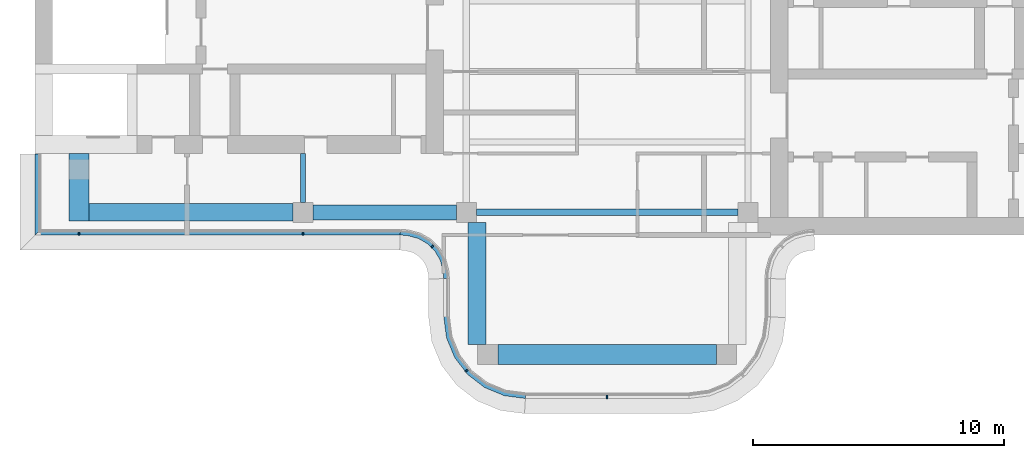
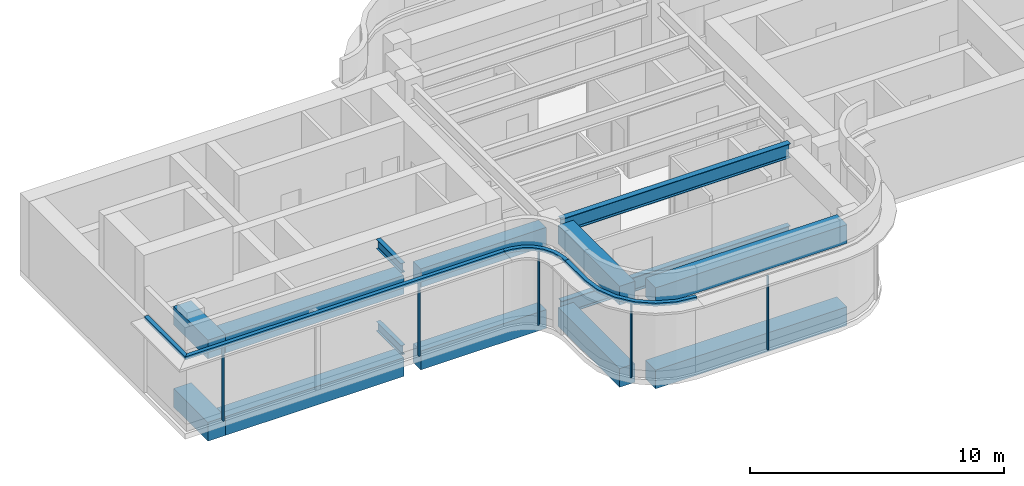
# One storey, part 2 of 9: 14 beams, 9 members, 5 elements without a shape of their own.
"""IFC4 building model written with IfcOpenShell, lengths in metres."""

from ifc_helpers import new_model, si_unit, direction, frame, origin, origin_2d, place, context, subcontext, project, spatial, polyline, rectangle, i_section, outline, extrude, source, transform, mapped, material, layer, layer_set, material_profile, profile_set, type_object, element, aggregate, save


model = new_model("IFC4")

# Units and contexts
model_context = context("Model", 3, precision=1e-05, world=origin(), true_north=direction((0.0, 1.0)))
body_context = subcontext(model_context, "Body", "Model", "MODEL_VIEW")
ifc_project = project(units=[si_unit("LENGTHUNIT", "METRE"), si_unit("AREAUNIT", "SQUARE_METRE"), si_unit("VOLUMEUNIT", "CUBIC_METRE"), si_unit("PLANEANGLEUNIT", "RADIAN"), si_unit("MASSUNIT", "GRAM", prefix="KILO")], contexts=[model_context])

# Site, building, storey
site_placement = place(None, origin())
site = spatial("IfcSite", under=ifc_project, at=site_placement, CompositionType="ELEMENT")
building_placement = place(site_placement, origin())
building = spatial("IfcBuilding", under=site, at=building_placement, Name="Trellis Farm Tower", CompositionType="ELEMENT")
storey_placement = place(building_placement, frame((0.0, 0.0, 358.10009765625)))
storey = spatial("IfcBuildingStorey", under=building, at=storey_placement, Name="L81", CompositionType="ELEMENT", Elevation=358.10009765625)

# Beams
ifc_material_1 = material(Name="Concrete C60/75", Category="concrete")
ifc_material_profile_1 = material_profile(ifc_material_1, rectangle(XDim=0.699951171875, YDim=0.89990234375, at=origin_2d()), Name="RC spandrel beam 700x900 C60/75")
ifc_profile_set_1 = profile_set([ifc_material_profile_1], Name="Concrete C60/75")
beam_type_1 = type_object("IfcBeamType", Name="RC spandrel beam 700x900 C60/75", PredefinedType="SPANDREL", material=ifc_profile_set_1)
shared_shape_1 = source(origin(), body_context, "Body", "SweptSolid", [
    extrude(rectangle(XDim=0.699951171875, YDim=0.89990234375, at=origin_2d()), origin(), (0.0, 0.0, 1.0), 8.10009765625),
])
for number, where, z_axis, x_axis, name in (
    (1, (-20.60009765625, -5.60009765625, -0.7001953125), (1.0, 0.0, 0.0), (0.0, 1.0, 0.0), "Girder"),
    (2, (-20.60009765625, -5.60009765625, 3.25), (1.0, 0.0, 0.0), (0.0, 1.0, 0.0), "Girder"),
):
    element("IfcBeam", number, at=place(storey_placement, frame(where, z_axis=z_axis, x_axis=x_axis)), inside=storey, type_object=beam_type_1, Name=name, PredefinedType="SPANDREL", context=body_context, shape_type="MappedRepresentation", body=[
        mapped(shared_shape_1, transform((0.0, 0.0, 0.0))),
    ])
ifc_material_profile_2 = material_profile(ifc_material_1, rectangle(XDim=0.800048828125, YDim=0.89990234375, at=origin_2d()), Name="RC spandrel beam 800x900 C60/75")
ifc_profile_set_2 = profile_set([ifc_material_profile_2], Name="Concrete C60/75")
beam_type_2 = type_object("IfcBeamType", Name="RC spandrel beam 800x900 C60/75", PredefinedType="SPANDREL", material=ifc_profile_set_2)
shared_shape_2 = source(origin(), body_context, "Body", "SweptSolid", [
    extrude(rectangle(XDim=0.800048828125, YDim=0.89990234375, at=origin_2d()), origin(), (0.0, 0.0, 1.0), 2.699951171875),
])
for number, where, z_axis, x_axis, name in (
    (3, (-21.0, -5.949951171875, -0.7001953125), (0.0, 1.0, 0.0), (-1.0, 0.0, 0.0), "Girder"),
    (4, (-21.0, -5.949951171875, 3.25), (0.0, 1.0, 0.0), (-1.0, 0.0, 0.0), "Girder"),
):
    element("IfcBeam", number, at=place(storey_placement, frame(where, z_axis=z_axis, x_axis=x_axis)), inside=storey, type_object=beam_type_2, Name=name, PredefinedType="SPANDREL", context=body_context, shape_type="MappedRepresentation", body=[
        mapped(shared_shape_2, transform((0.0, 0.0, 0.0))),
    ])
ifc_material_2 = material(Name="Steel S355", Category="steel")
ifc_material_profile_3 = material_profile(ifc_material_2, i_section(OverallWidth=0.253662109375, OverallDepth=0.68359375, WebThickness=0.012451171875, FlangeThickness=0.021728515625, FilletRadius=0.01513671875, at=origin_2d()), Name="UB 686x254x140")
ifc_profile_set_3 = profile_set([ifc_material_profile_3], Name="Steel S355")
beam_type_3 = type_object("IfcBeamType", Name="UB 686x254x140", PredefinedType="BEAM", material=ifc_profile_set_3)
shared_shape_3 = source(origin(), body_context, "Body", "SweptSolid", [
    extrude(i_section(OverallWidth=0.253662109375, OverallDepth=0.68359375, WebThickness=0.012451171875, FlangeThickness=0.021728515625, FilletRadius=0.01513671875, at=origin_2d()), origin(), (0.0, 0.0, 1.0), 10.39990234375),
])
for number, where, z_axis, x_axis, name in (
    (5, (-5.199951171875, -5.60009765625, -0.591796875), (1.0, 0.0, 0.0), (0.0, 1.0, 0.0), "Girder"),
    (6, (-5.199951171875, -5.60009765625, 3.358154296875), (1.0, 0.0, 0.0), (0.0, 1.0, 0.0), "Girder"),
):
    element("IfcBeam", number, at=place(storey_placement, frame(where, z_axis=z_axis, x_axis=x_axis)), inside=storey, type_object=beam_type_3, Name=name, PredefinedType="BEAM", context=body_context, shape_type="MappedRepresentation", body=[
        mapped(shared_shape_3, transform((0.0, 0.0, 0.0))),
    ])
ifc_material_profile_4 = material_profile(ifc_material_1, rectangle(XDim=0.60009765625, YDim=0.89990234375, at=origin_2d()), Name="RC spandrel beam 600x900 C60/75")
ifc_profile_set_4 = profile_set([ifc_material_profile_4], Name="Concrete C60/75")
beam_type_4 = type_object("IfcBeamType", Name="RC spandrel beam 600x900 C60/75", PredefinedType="SPANDREL", material=ifc_profile_set_4)
shared_shape_4 = source(origin(), body_context, "Body", "SweptSolid", [
    extrude(rectangle(XDim=0.60009765625, YDim=0.89990234375, at=origin_2d()), origin(), (0.0, 0.0, 1.0), 5.699951171875),
])
for number, where, z_axis, x_axis, name in (
    (7, (-11.699951171875, -5.60009765625, -0.7001953125), (1.0, 0.0, 0.0), (0.0, 1.0, 0.0), "Girder"),
    (8, (-11.699951171875, -5.60009765625, 3.25), (1.0, 0.0, 0.0), (0.0, 1.0, 0.0), "Girder"),
):
    element("IfcBeam", number, at=place(storey_placement, frame(where, z_axis=z_axis, x_axis=x_axis)), inside=storey, type_object=beam_type_4, Name=name, PredefinedType="SPANDREL", context=body_context, shape_type="MappedRepresentation", body=[
        mapped(shared_shape_4, transform((0.0, 0.0, 0.0))),
    ])
shared_shape_5 = source(origin(), body_context, "Body", "SweptSolid", [
    extrude(rectangle(XDim=0.800048828125, YDim=0.89990234375, at=origin_2d()), origin(), (0.0, 0.0, 1.0), 8.7001953125),
])
for number, where, z_axis, x_axis, name in (
    (9, (-4.35009765625, -11.25, -0.7001953125), (1.0, 0.0, 0.0), (0.0, 1.0, 0.0), "Girder"),
    (10, (-4.35009765625, -11.25, 3.25), (1.0, 0.0, 0.0), (0.0, 1.0, 0.0), "Girder"),
):
    element("IfcBeam", number, at=place(storey_placement, frame(where, z_axis=z_axis, x_axis=x_axis)), inside=storey, type_object=beam_type_2, Name=name, PredefinedType="SPANDREL", context=body_context, shape_type="MappedRepresentation", body=[
        mapped(shared_shape_5, transform((0.0, 0.0, 0.0))),
    ])
ifc_material_profile_5 = material_profile(ifc_material_2, i_section(OverallWidth=0.1904296875, OverallDepth=0.45703125, WebThickness=0.009033203125, FlangeThickness=0.014404296875, FilletRadius=0.01025390625, at=origin_2d()), Name="UB 457x191x74")
ifc_profile_set_5 = profile_set([ifc_material_profile_5], Name="Steel S355")
beam_type_5 = type_object("IfcBeamType", Name="UB 457x191x74", PredefinedType="BEAM", material=ifc_profile_set_5)
shared_shape_6 = source(origin(), body_context, "Body", "SweptSolid", [
    extrude(i_section(OverallWidth=0.1904296875, OverallDepth=0.45703125, WebThickness=0.009033203125, FlangeThickness=0.014404296875, FilletRadius=0.01025390625, at=origin_2d()), origin(), (0.0, 0.0, 1.0), 1.949951171875),
])
for number, where, z_axis, x_axis, name in (
    (11, (-12.10009765625, -5.199951171875, -0.478515625), (0.0, 1.0, 0.0), (-1.0, 0.0, 0.0), "Girder"),
    (12, (-12.10009765625, -5.199951171875, 3.471435546875), (0.0, 1.0, 0.0), (-1.0, 0.0, 0.0), "Girder"),
):
    element("IfcBeam", number, at=place(storey_placement, frame(where, z_axis=z_axis, x_axis=x_axis)), inside=storey, type_object=beam_type_5, Name=name, PredefinedType="BEAM", context=body_context, shape_type="MappedRepresentation", body=[
        mapped(shared_shape_6, transform((0.0, 0.0, 0.0))),
    ])
shared_shape_7 = source(origin(), body_context, "Body", "SweptSolid", [
    extrude(rectangle(XDim=0.699951171875, YDim=0.89990234375, at=origin_2d()), origin(), (0.0, 0.0, 1.0), 4.85009765625),
])
for number, where, z_axis, x_axis, name in (
    (13, (-5.175048828125, -10.85009765625, -0.7001953125), (0.0, 1.0, 0.0), (-1.0, 0.0, 0.0), "Girder"),
    (14, (-5.175048828125, -10.85009765625, 3.25), (0.0, 1.0, 0.0), (-1.0, 0.0, 0.0), "Girder"),
):
    element("IfcBeam", number, at=place(storey_placement, frame(where, z_axis=z_axis, x_axis=x_axis)), inside=storey, type_object=beam_type_1, Name=name, PredefinedType="SPANDREL", context=body_context, shape_type="MappedRepresentation", body=[
        mapped(shared_shape_7, transform((0.0, 0.0, 0.0))),
    ])

# Curtain wall, member
ifc_material_3 = material(Name="Aluminium and glass curtain wall", Category="aluminium")
ifc_layer_1 = layer(ifc_material_3, 0.176025390625)
ifc_layer_set_1 = layer_set([ifc_layer_1], Name="CROWN LANTERN CURTAIN WALL CW5")
curtain_wall_type = type_object("IfcCurtainWallType", Name="CROWN LANTERN CURTAIN WALL CW5", PredefinedType="NOTDEFINED", material=ifc_layer_set_1)
placement_1 = place(storey_placement, origin())
curtain_wall_1 = element("IfcCurtainWall", 15, at=placement_1, inside=storey, type_object=curtain_wall_type, Name="CW5 010", PredefinedType="NOTDEFINED")
ifc_material_4 = material(Name="Aluminium extrusion 6063-T6", Category="aluminium")
ifc_layer_2 = layer(ifc_material_4, 0.176025390625)
ifc_layer_set_2 = layer_set([ifc_layer_2], Name="Aluminium extrusion 6063-T6")
member_type_1 = type_object("IfcMemberType", Name="CW5 TRANSOM 176x150", PredefinedType="USERDEFINED", material=ifc_layer_set_2)
shared_shape_8 = source(origin(), body_context, "Body", "SweptSolid", [
    extrude(outline(polyline([(-22.75, -6.5), (-8.2314453125, -6.5), (-8.2255859375, -6.323974609375), (-22.573974609375, -6.323974609375), (-22.75, -6.5)])), origin(), (0.0, 0.0, 1.0), 0.150146484375),
])
placement_2 = place(storey_placement, frame((0.0, 0.0, 3.5498046875)))
member_1 = element("IfcMember", 16, at=placement_2, type_object=member_type_1, Name="TR5 010", ObjectType="TRANSOM", PredefinedType="USERDEFINED", context=body_context, shape_type="MappedRepresentation", body=[
    mapped(shared_shape_8, transform((0.0, 0.0, 0.0))),
])

curtain_wall_2 = element("IfcCurtainWall", 17, at=placement_1, inside=storey, type_object=curtain_wall_type, Name="CW5 011", PredefinedType="NOTDEFINED")
shared_shape_9 = source(origin(), body_context, "Body", "SweptSolid", [
    extrude(outline(polyline([(-8.2314453125, -6.5), (-8.01953125, -6.513916015625), (-7.91552734375, -6.527587890625), (-7.508544921875, -6.63671875), (-7.144287109375, -6.846923828125), (-6.846923828125, -7.144287109375), (-6.63671875, -7.508544921875), (-6.527587890625, -7.91552734375), (-6.513916015625, -8.01953125), (-6.5, -8.2314453125), (-6.323974609375, -8.2255859375), (-6.338623046875, -8.002197265625), (-6.3544921875, -7.881103515625), (-6.47265625, -7.440673828125), (-6.7060546875, -7.0361328125), (-7.0361328125, -6.7060546875), (-7.440673828125, -6.47265625), (-7.881103515625, -6.3544921875), (-8.002197265625, -6.338623046875), (-8.2255859375, -6.323974609375), (-8.2314453125, -6.5)])), origin(), (0.0, 0.0, 1.0), 0.150146484375),
])
member_2 = element("IfcMember", 18, at=placement_2, type_object=member_type_1, Name="TR5 011", ObjectType="TRANSOM", PredefinedType="USERDEFINED", context=body_context, shape_type="MappedRepresentation", body=[
    mapped(shared_shape_9, transform((0.0, 0.0, 0.0))),
])

curtain_wall_3 = element("IfcCurtainWall", 19, at=placement_1, inside=storey, type_object=curtain_wall_type, Name="CW5 009", PredefinedType="NOTDEFINED")
shared_shape_10 = source(origin(), body_context, "Body", "SweptSolid", [
    extrude(outline(polyline([(-22.75, -3.280029296875), (-22.75, -6.5), (-22.573974609375, -6.323974609375), (-22.573974609375, -3.280029296875), (-22.75, -3.280029296875)])), origin(), (0.0, 0.0, 1.0), 0.150146484375),
])
member_3 = element("IfcMember", 20, at=placement_2, type_object=member_type_1, Name="TR5 009", ObjectType="TRANSOM", PredefinedType="USERDEFINED", context=body_context, shape_type="MappedRepresentation", body=[
    mapped(shared_shape_10, transform((0.0, 0.0, 0.0))),
])
aggregate(curtain_wall_3, [member_3])

# Curtain wall, members
curtain_wall_4 = element("IfcCurtainWall", 21, at=placement_1, inside=storey, type_object=curtain_wall_type, Name="CW5 001", PredefinedType="NOTDEFINED")
shared_shape_11 = source(origin(), body_context, "Body", "SweptSolid", [
    extrude(outline(polyline([(-6.5, -8.2314453125), (-6.5, -9.75), (-6.38916015625, -10.591064453125), (-6.064697265625, -11.375), (-5.548095703125, -12.048095703125), (-4.875, -12.564697265625), (-4.091064453125, -12.88916015625), (-3.25, -13.0), (-3.238525390625, -12.823974609375), (-4.045166015625, -12.7177734375), (-4.7861328125, -12.410888671875), (-5.422607421875, -11.922607421875), (-5.910888671875, -11.2861328125), (-6.2177734375, -10.545166015625), (-6.323974609375, -9.738525390625), (-6.323974609375, -8.2255859375), (-6.5, -8.2314453125)])), origin(), (0.0, 0.0, 1.0), 0.150146484375),
])
member_4 = element("IfcMember", 22, at=placement_2, type_object=member_type_1, Name="TR5 001", ObjectType="TRANSOM", PredefinedType="USERDEFINED", context=body_context, shape_type="MappedRepresentation", body=[
    mapped(shared_shape_11, transform((0.0, 0.0, 0.0))),
])
ifc_material_profile_6 = material_profile(ifc_material_4, rectangle(XDim=0.06005859375, YDim=0.1201171875, at=origin_2d()), Name="MULLION 60x120")
ifc_profile_set_6 = profile_set([ifc_material_profile_6], Name="Aluminium extrusion 6063-T6")
member_type_2 = type_object("IfcMemberType", Name="CW5 MULLION 60x120", PredefinedType="MULLION", material=ifc_profile_set_6)
shared_shape_12 = source(origin(), body_context, "Body", "SweptSolid", [
    extrude(rectangle(XDim=0.06005859375, YDim=0.1201171875, at=origin_2d()), origin(), (0.0, 0.0, 1.0), 3.5498046875),
])
member_5_placement = place(storey_placement, frame((-5.590087890625, -11.894775390625, 0.0), z_axis=(0.0, 0.0, 1.0), x_axis=(0.608761429009, -0.793353340291, 0.0)))
member_5 = element("IfcMember", 23, at=member_5_placement, type_object=member_type_2, Name="MU5 001-01", PredefinedType="MULLION", context=body_context, shape_type="MappedRepresentation", body=[
    mapped(shared_shape_12, transform((0.0, 0.0, 0.0))),
])
aggregate(curtain_wall_4, [member_5, member_4])

# Curtain wall, member
curtain_wall_5 = element("IfcCurtainWall", 24, at=placement_1, inside=storey, type_object=curtain_wall_type, Name="CW5 002", PredefinedType="NOTDEFINED")
member_6_placement = place(storey_placement, frame((0.0, -12.93994140625, 0.0), z_axis=(0.0, 0.0, 1.0), x_axis=(1.0, 0.0, 0.0)))
member_6 = element("IfcMember", 25, at=member_6_placement, type_object=member_type_2, Name="MU5 002-01", PredefinedType="MULLION", context=body_context, shape_type="MappedRepresentation", body=[
    mapped(shared_shape_12, transform((0.0, 0.0, 0.0))),
])
aggregate(curtain_wall_5, [member_6])

# Member
member_7_placement = place(storey_placement, frame((-21.0, -6.43994140625, 0.0), z_axis=(0.0, 0.0, 1.0), x_axis=(1.0, 0.0, 0.0)))
member_7 = element("IfcMember", 26, at=member_7_placement, type_object=member_type_2, Name="MU5 010-01", PredefinedType="MULLION", context=body_context, shape_type="MappedRepresentation", body=[
    mapped(shared_shape_12, transform((0.0, 0.0, 0.0))),
])

member_8_placement = place(storey_placement, frame((-12.10009765625, -6.43994140625, 0.0), z_axis=(0.0, 0.0, 1.0), x_axis=(1.0, 0.0, 0.0)))
member_8 = element("IfcMember", 27, at=member_8_placement, type_object=member_type_2, Name="MU5 010-02", PredefinedType="MULLION", context=body_context, shape_type="MappedRepresentation", body=[
    mapped(shared_shape_12, transform((0.0, 0.0, 0.0))),
])

aggregate(curtain_wall_1, [member_7, member_8, member_1])

member_9_placement = place(storey_placement, frame((-6.953125, -6.953125, 0.0), z_axis=(0.0, 0.0, 1.0), x_axis=(0.707106781187, -0.707106781187, 0.0)))
member_9 = element("IfcMember", 28, at=member_9_placement, type_object=member_type_2, Name="MU5 011-01", PredefinedType="MULLION", context=body_context, shape_type="MappedRepresentation", body=[
    mapped(shared_shape_12, transform((0.0, 0.0, 0.0))),
])

aggregate(curtain_wall_2, [member_9, member_2])

save(model, "model.ifc")
